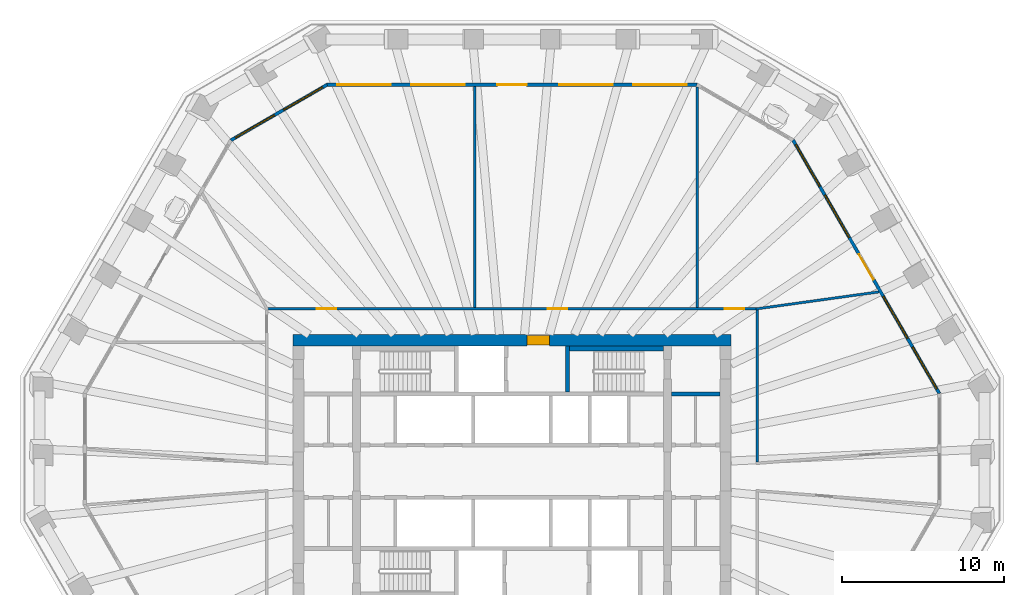
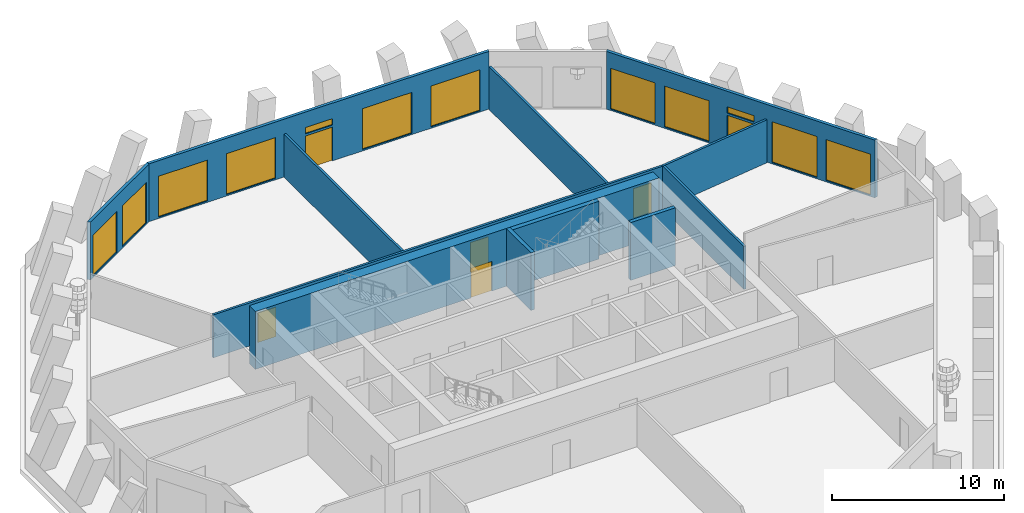
# One storey, part 7 of 11: 12 walls, 12 windows, 6 doors, 18 openings.
"""IFC4 building model written with IfcOpenShell, lengths in metres."""

import ifcopenshell
import ifcopenshell.guid

model = None  # the IFC model being written
_history = None  # IfcOwnerHistory: only IFC2X3 demands one
_inside = {}  # id of a spatial element -> (the spatial element, [elements in it])
_under = {}  # id of a project, library or spatial element -> (it, [spatial elements below it])
_declared = {}  # id of a project -> (the project, [libraries it declares])
_typed = {}  # id of a type object -> (the type object, [elements of that type])
_made_of = {}  # id of a material, layer set ... -> (it, [elements and type objects made of it])


def new_model(schema):
    """Start an empty IFC model of exactly this schema.

    Asked for "IFC4X3", IfcOpenShell would pick the latest addendum, in which some entities
    have other attributes; the version numbers below select the first issue.
    IFC2X3 requires an IfcOwnerHistory on every rooted entity: one is made here for all.
    """
    global model, _history
    if schema == "IFC4X3":
        model = ifcopenshell.file(schema_version=(4, 3, 0, 0))
    else:
        model = ifcopenshell.file(schema=schema)
    _inside.clear()
    _under.clear()
    _declared.clear()
    _typed.clear()
    _made_of.clear()
    _history = None
    if model.schema == "IFC2X3":
        org = make("IfcOrganization", Name="unknown")
        user = make(
            "IfcPersonAndOrganization",
            ThePerson=make("IfcPerson", FamilyName="unknown"),
            TheOrganization=org,
        )
        app = make(
            "IfcApplication",
            ApplicationDeveloper=org,
            Version="unknown",
            ApplicationFullName="unknown",
            ApplicationIdentifier="unknown",
        )
        _history = make(
            "IfcOwnerHistory",
            OwningUser=user,
            OwningApplication=app,
            ChangeAction="ADDED",
            CreationDate=0,
        )
    return model


def make(cls, **values):
    """One entity of the class cls with the attributes given. An attribute that is None is left unset."""
    return model.create_entity(
        cls, **{name: value for name, value in values.items() if value is not None}
    )


def rooted(cls, **values):
    """An entity with a GlobalId (a new one), such as an element, a storey or a relation."""
    return make(cls, GlobalId=ifcopenshell.guid.new(), OwnerHistory=_history, **values)


def si_unit(unit_type, name, prefix=None):
    """IfcSIUnit, for example si_unit("LENGTHUNIT", "METRE", prefix="MILLI")."""
    return make("IfcSIUnit", UnitType=unit_type, Prefix=prefix, Name=name)


def assignment(units):
    """IfcUnitAssignment: the units of a project."""
    return None if units is None else make("IfcUnitAssignment", Units=units)


def point(xyz):
    """IfcCartesianPoint."""
    return None if xyz is None else make("IfcCartesianPoint", Coordinates=xyz)


def direction(xyz):
    """IfcDirection."""
    return None if xyz is None else make("IfcDirection", DirectionRatios=xyz)


def frame(location, z_axis=None, x_axis=None):
    """IfcAxis2Placement3D, a coordinate frame: its origin and axes. An axis left out is left unset."""
    return make(
        "IfcAxis2Placement3D",
        Location=point(location),
        Axis=direction(z_axis),
        RefDirection=direction(x_axis),
    )


def frame_2d(location, x_axis=None):
    """IfcAxis2Placement2D, a coordinate frame in the plane: its origin and x axis."""
    return make(
        "IfcAxis2Placement2D", Location=point(location), RefDirection=direction(x_axis)
    )


def origin():
    """The frame at (0, 0, 0) with its axes left unset."""
    return frame((0.0, 0.0, 0.0))


def place(relative_to, where):
    """IfcLocalPlacement: puts the frame where relative to a parent placement (None: the world)."""
    return make(
        "IfcLocalPlacement", PlacementRelTo=relative_to, RelativePlacement=where
    )


def context(
    kind, dimensions, precision=None, world=None, true_north=None, identifier=None
):
    """IfcGeometricRepresentationContext, for example the 3D "Model" context."""
    return make(
        "IfcGeometricRepresentationContext",
        ContextIdentifier=identifier,
        ContextType=kind,
        CoordinateSpaceDimension=dimensions,
        Precision=precision,
        WorldCoordinateSystem=world,
        TrueNorth=true_north,
    )


def subcontext(parent, identifier, kind, view, scale=None):
    """IfcGeometricRepresentationSubContext, for example "Body" below "Model"."""
    return make(
        "IfcGeometricRepresentationSubContext",
        ContextIdentifier=identifier,
        ContextType=kind,
        ParentContext=parent,
        TargetScale=scale,
        TargetView=view,
    )


def project(units=None, contexts=None):
    """IfcProject with its units and contexts."""
    return rooted(
        "IfcProject",
        Name="project",
        RepresentationContexts=contexts,
        UnitsInContext=assignment(units),
    )


def spatial(cls, under=None, at=None, **own):
    """A site, building, storey or space (cls), placed at a placement, below another one or the project."""
    s = rooted(cls, ObjectPlacement=at, **own)
    if under is not None:
        _under.setdefault(under.id(), (under, []))[1].append(s)
    return s


def polyline(points):
    """IfcPolyline through the points."""
    return make("IfcPolyline", Points=[point(p) for p in points])


def profile(cls, at=None, kind="AREA", **sizes):
    """A parametric profile (cls). Its sizes go by their IFC names, for example OverallWidth=200.0."""
    return make(cls, ProfileType=kind, Position=at, **sizes)


def rectangle(**sizes):
    """IfcRectangleProfileDef."""
    return profile("IfcRectangleProfileDef", **sizes)


def outline(outer, holes=None, kind="AREA"):
    """IfcArbitraryClosedProfileDef: a profile drawn as a closed curve; with holes, ...WithVoids."""
    if holes is None:
        return make("IfcArbitraryClosedProfileDef", ProfileType=kind, OuterCurve=outer)
    return make(
        "IfcArbitraryProfileDefWithVoids",
        ProfileType=kind,
        OuterCurve=outer,
        InnerCurves=holes,
    )


def extrude(swept, where, along, depth):
    """IfcExtrudedAreaSolid: the profile swept, set in the frame where, extruded along a direction by depth."""
    return make(
        "IfcExtrudedAreaSolid",
        SweptArea=swept,
        Position=where,
        ExtrudedDirection=direction(along),
        Depth=depth,
    )


def shape(context_of_items, identifier, shape_type, items):
    """IfcShapeRepresentation: the items that make up one representation, for example the "Body"."""
    return make(
        "IfcShapeRepresentation",
        ContextOfItems=context_of_items,
        RepresentationIdentifier=identifier,
        RepresentationType=shape_type,
        Items=items,
    )


def material(Name=None, Category=None):
    """IfcMaterial."""
    return make("IfcMaterial", Name=Name, Category=Category)


def layer(
    of_material, thickness, ventilated=None, Name=None, Category=None, Priority=None
):
    """IfcMaterialLayer: one layer of a wall or slab, of a material (None: an air gap)."""
    return make(
        "IfcMaterialLayer",
        Material=of_material,
        LayerThickness=thickness,
        IsVentilated=ventilated,
        Name=Name,
        Category=Category,
        Priority=Priority,
    )


def layer_set(layers, Name=None):
    """IfcMaterialLayerSet."""
    return make("IfcMaterialLayerSet", MaterialLayers=layers, LayerSetName=Name)


def made_of(thing, what):
    """Note that an element or type object is made of a material, layer set ...; save() writes the relation."""
    if what is not None:
        _made_of.setdefault(what.id(), (what, []))[1].append(thing)
    return thing


def type_object(cls, material=None, **own):
    """A type object (cls), such as IfcWallType, which elements share."""
    return made_of(rooted(cls, **own), material)


def element(
    cls,
    number,
    at=None,
    inside=None,
    cuts=None,
    type_object=None,
    material=None,
    context=None,
    identifier="Body",
    shape_type=None,
    held_by="IfcProductDefinitionShape",
    body=None,
    shapes=None,
    **own,
):
    """One element of the class cls, such as IfcWall. Its Tag is "e" and its number.

    at: its placement. inside: the storey or other place that contains it. cuts: it is an
    opening in that element (IfcRelVoidsElement). A single representation is given by context,
    identifier, shape_type and body (its items); several are given by shapes. held_by: the class
    of the entity that holds the representations. save() writes the other relations.
    """
    e = rooted(cls, Tag="e%d" % number, ObjectPlacement=at, **own)
    if body is not None:
        shapes = [shape(context, identifier, shape_type, body)]
    if shapes is not None:
        e.Representation = make(held_by, Representations=shapes)
    if inside is not None:
        _inside.setdefault(inside.id(), (inside, []))[1].append(e)
    if cuts is not None:
        rooted(
            "IfcRelVoidsElement", RelatingBuildingElement=cuts, RelatedOpeningElement=e
        )
    if type_object is not None:
        _typed.setdefault(type_object.id(), (type_object, []))[1].append(e)
    return made_of(e, material)


def fill(opening, filler):
    """IfcRelFillsElement: the door or window that sits in an opening."""
    return rooted(
        "IfcRelFillsElement",
        RelatingOpeningElement=opening,
        RelatedBuildingElement=filler,
    )


def aggregate(whole, parts):
    """IfcRelAggregates: a whole, such as a stair, and the parts it consists of."""
    return rooted("IfcRelAggregates", RelatingObject=whole, RelatedObjects=parts)


def save(model, path):
    """Write the relations noted so far, then the file.

    IfcRelAggregates (storeys below a building ...), IfcRelContainedInSpatialStructure (elements
    in a storey), IfcRelDefinesByType, IfcRelAssociatesMaterial and IfcRelDeclares: one each for
    every whole, place, type object, material and project.
    """
    for whole, parts in _under.values():
        aggregate(whole, parts)
    for where, things in _inside.values():
        rooted(
            "IfcRelContainedInSpatialStructure",
            RelatedElements=things,
            RelatingStructure=where,
        )
    for kind, things in _typed.values():
        rooted("IfcRelDefinesByType", RelatedObjects=things, RelatingType=kind)
    for what, things in _made_of.values():
        rooted("IfcRelAssociatesMaterial", RelatedObjects=things, RelatingMaterial=what)
    for by, libraries in _declared.values():
        rooted("IfcRelDeclares", RelatingContext=by, RelatedDefinitions=libraries)
    model.write(path)


model = new_model("IFC4")

# Units and contexts
model_context = context("Model", 3, precision=1e-05, world=origin(), true_north=direction((0.0, 1.0)))
body_context = subcontext(model_context, "Body", "Model", "MODEL_VIEW")
ifc_project = project(units=[si_unit("LENGTHUNIT", "METRE"), si_unit("AREAUNIT", "SQUARE_METRE"), si_unit("VOLUMEUNIT", "CUBIC_METRE"), si_unit("PLANEANGLEUNIT", "RADIAN"), si_unit("MASSUNIT", "GRAM", prefix="KILO")], contexts=[model_context])

# Site, building, storey
site_placement = place(None, origin())
site = spatial("IfcSite", under=ifc_project, at=site_placement, CompositionType="ELEMENT")
building_placement = place(site_placement, origin())
building = spatial("IfcBuilding", under=site, at=building_placement, Name="Frailejon Research Tower", CompositionType="ELEMENT")
storey_placement = place(building_placement, frame((0.0, 0.0, 198.0)))
storey = spatial("IfcBuildingStorey", under=building, at=storey_placement, Name="L43", CompositionType="ELEMENT", Elevation=198.0)

# Wall, opening, door
ifc_material_1 = material(Name="Concrete C60/75", Category="concrete")
ifc_layer_1 = layer(ifc_material_1, 0.699951171875)
ifc_layer_set_1 = layer_set([ifc_layer_1], Name="Core shear wall 700 C60/75")
wall_type_1 = type_object("IfcWallType", Name="Core shear wall 700 C60/75", PredefinedType="SHEAR", material=ifc_layer_set_1)
wall_1_placement = place(storey_placement, frame((-13.550048828125, 8.10009765625, 0.0), z_axis=(0.0, 0.0, 1.0), x_axis=(1.0, 0.0, 0.0)))
wall_1 = element("IfcWall", 1, at=wall_1_placement, inside=storey, type_object=wall_type_1, Name="Core shear wall", PredefinedType="SHEAR", context=body_context, shape_type="SweptSolid", body=[
    extrude(rectangle(XDim=27.10009765625, YDim=0.699951171875, at=frame_2d((13.550048828125, 0.0))), origin(), (0.0, 0.0, 1.0), 4.10009765625),
])
opening_1_placement = place(wall_1_placement, frame((14.47509765625, 0.0, 0.0)))
opening_1 = element("IfcOpeningElement", 2, at=opening_1_placement, cuts=wall_1, Name="Opening D9", PredefinedType="OPENING", context=body_context, shape_type="SweptSolid", body=[
    extrude(rectangle(XDim=1.39990234375, YDim=2.10009765625, at=frame_2d((0.699951171875, 1.050048828125))), frame((0.0, 0.35986328125, 0.0), z_axis=(0.0, -1.0, 0.0), x_axis=(1.0, 0.0, 0.0)), (0.0, 0.0, 1.0), 0.719970703125),
])
ifc_material_2 = material(Name="Steel", Category="steel")
door_type_1 = type_object("IfcDoorType", Name="Goods lobby door", OperationType="DOUBLE_DOOR_SINGLE_SWING", PredefinedType="DOOR", material=ifc_material_2)
door_1_placement = place(opening_1_placement, origin())
door_1 = element("IfcDoor", 3, at=door_1_placement, inside=storey, type_object=door_type_1, Name="Goods lobby door", OperationType="DOUBLE_DOOR_SINGLE_SWING", OverallHeight=2.10009765625, OverallWidth=1.39990234375, PredefinedType="DOOR", context=body_context, shape_type="SweptSolid", body=[
    extrude(rectangle(XDim=1.39990234375, YDim=2.10009765625, at=frame_2d((0.699951171875, 1.050048828125))), frame((0.0, 0.300048828125, 0.0), z_axis=(0.0, -1.0, 0.0), x_axis=(1.0, 0.0, 0.0)), (0.0, 0.0, 1.0), 0.60009765625),
])
fill(opening_1, door_1)

# Wall
ifc_material_3 = material(Name="Gypsum board and masonry partition", Category="masonry")
ifc_layer_2 = layer(ifc_material_3, 0.14990234375)
ifc_layer_set_2 = layer_set([ifc_layer_2], Name="Corridor wall EI 60, gypsum on steel studs 150")
wall_type_2 = type_object("IfcWallType", Name="Corridor wall EI 60, gypsum on steel studs 150", PredefinedType="PARTITIONING", material=ifc_layer_set_2)
wall_2_placement = place(storey_placement, frame((15.14990234375, 0.57568359375, 0.0), z_axis=(0.0, 0.0, 1.0), x_axis=(0.0, 1.0, 0.0)))
element("IfcWall", 4, at=wall_2_placement, inside=storey, type_object=wall_type_2, Name="T:IW:L43:002", PredefinedType="PARTITIONING", context=body_context, shape_type="SweptSolid", body=[
    extrude(rectangle(XDim=9.3994140625, YDim=0.14990234375, at=frame_2d((4.69970703125, 0.0))), origin(), (0.0, 0.0, 1.0), 3.050048828125),
])

# Wall, openings, doors
wall_3_placement = place(storey_placement, frame((-15.074951171875, 10.050048828125, 0.0), z_axis=(0.0, 0.0, 1.0), x_axis=(1.0, 0.0, 0.0)))
wall_3 = element("IfcWall", 5, at=wall_3_placement, inside=storey, type_object=wall_type_2, Name="T:IW:L43:003", PredefinedType="PARTITIONING", context=body_context, shape_type="SweptSolid", body=[
    extrude(rectangle(XDim=30.14990234375, YDim=0.14990234375, at=frame_2d((15.074951171875, 0.0))), origin(), (0.0, 0.0, 1.0), 3.050048828125),
])
opening_2_placement = place(wall_3_placement, frame((28.225830078125, 0.0, 0.0)))
opening_2 = element("IfcOpeningElement", 6, at=opening_2_placement, cuts=wall_3, Name="Opening D1924", PredefinedType="OPENING", context=body_context, shape_type="SweptSolid", body=[
    extrude(rectangle(XDim=1.199951171875, YDim=2.10009765625, at=frame_2d((0.60009765625, 1.050048828125))), frame((0.0, 0.0849609375, 0.0), z_axis=(0.0, -1.0, 0.0), x_axis=(1.0, 0.0, 0.0)), (0.0, 0.0, 1.0), 0.169921875),
])
opening_3_placement = place(wall_3_placement, frame((17.27978515625, 0.0, 0.0)))
opening_3 = element("IfcOpeningElement", 7, at=opening_3_placement, cuts=wall_3, Name="Opening D1925", PredefinedType="OPENING", context=body_context, shape_type="SweptSolid", body=[
    extrude(rectangle(XDim=1.199951171875, YDim=2.10009765625, at=frame_2d((0.60009765625, 1.050048828125))), frame((0.0, 0.0849609375, 0.0), z_axis=(0.0, -1.0, 0.0), x_axis=(1.0, 0.0, 0.0)), (0.0, 0.0, 1.0), 0.169921875),
])
opening_4_placement = place(wall_3_placement, frame((3.014892578125, 0.0, 0.0)))
opening_4 = element("IfcOpeningElement", 8, at=opening_4_placement, cuts=wall_3, Name="Opening D1926", PredefinedType="OPENING", context=body_context, shape_type="SweptSolid", body=[
    extrude(rectangle(XDim=1.199951171875, YDim=2.10009765625, at=frame_2d((0.60009765625, 1.050048828125))), frame((0.0, 0.0849609375, 0.0), z_axis=(0.0, -1.0, 0.0), x_axis=(1.0, 0.0, 0.0)), (0.0, 0.0, 1.0), 0.169921875),
])
ifc_material_4 = material(Name="Timber door leaf", Category="wood")
door_type_2 = type_object("IfcDoorType", Name="Door laboratory, timber, vision panel 1200", OperationType="NOTDEFINED", PredefinedType="DOOR", material=ifc_material_4)
door_2_placement = place(opening_2_placement, origin())
door_2 = element("IfcDoor", 9, at=door_2_placement, inside=storey, type_object=door_type_2, Name="D1924", OperationType="DOUBLE_DOOR_SINGLE_SWING", OverallHeight=2.10009765625, OverallWidth=1.199951171875, PredefinedType="DOOR", context=body_context, shape_type="SweptSolid", body=[
    extrude(rectangle(XDim=1.199951171875, YDim=2.10009765625, at=frame_2d((0.60009765625, 1.050048828125))), frame((0.0, 0.02490234375, 0.0), z_axis=(0.0, -1.0, 0.0), x_axis=(1.0, 0.0, 0.0)), (0.0, 0.0, 1.0), 0.050048828125),
])
fill(opening_2, door_2)
door_3_placement = place(opening_3_placement, origin())
door_3 = element("IfcDoor", 10, at=door_3_placement, inside=storey, type_object=door_type_2, Name="D1925", OperationType="DOUBLE_DOOR_SINGLE_SWING", OverallHeight=2.10009765625, OverallWidth=1.199951171875, PredefinedType="DOOR", context=body_context, shape_type="SweptSolid", body=[
    extrude(rectangle(XDim=1.199951171875, YDim=2.10009765625, at=frame_2d((0.60009765625, 1.050048828125))), frame((0.0, 0.02490234375, 0.0), z_axis=(0.0, -1.0, 0.0), x_axis=(1.0, 0.0, 0.0)), (0.0, 0.0, 1.0), 0.050048828125),
])
fill(opening_3, door_3)
door_4_placement = place(opening_4_placement, origin())
door_4 = element("IfcDoor", 11, at=door_4_placement, inside=storey, type_object=door_type_2, Name="D1926", OperationType="DOUBLE_DOOR_SINGLE_SWING", OverallHeight=2.10009765625, OverallWidth=1.199951171875, PredefinedType="DOOR", context=body_context, shape_type="SweptSolid", body=[
    extrude(rectangle(XDim=1.199951171875, YDim=2.10009765625, at=frame_2d((0.60009765625, 1.050048828125))), frame((0.0, 0.02490234375, 0.0), z_axis=(0.0, -1.0, 0.0), x_axis=(1.0, 0.0, 0.0)), (0.0, 0.0, 1.0), 0.050048828125),
])
fill(opening_4, door_4)

# Walls
ifc_material_5 = material(Name="Gypsum board and masonry partition", Category="masonry")
ifc_layer_3 = layer(ifc_material_5, 0.14990234375)
ifc_layer_set_3 = layer_set([ifc_layer_3], Name="Laboratory partition, blockwork 150")
wall_type_3 = type_object("IfcWallType", Name="Laboratory partition, blockwork 150", PredefinedType="PARTITIONING", material=ifc_layer_set_3)
wall_4_placement = place(storey_placement, frame((15.07568359375, 10.039794921875, 0.0), z_axis=(0.0, 0.0, 1.0), x_axis=(0.990534028254, 0.137267399154, 0.0)))
element("IfcWall", 12, at=wall_4_placement, inside=storey, type_object=wall_type_3, Name="T:IW:L43:011", PredefinedType="PARTITIONING", context=body_context, shape_type="SweptSolid", body=[
    extrude(rectangle(XDim=7.6708984375, YDim=0.14990234375, at=frame_2d((3.83544921875, 0.0))), origin(), (0.0, 0.0, 1.0), 3.050048828125),
])
wall_5_placement = place(storey_placement, frame((11.453125, 10.125, 0.0), z_axis=(0.0, 0.0, 1.0), x_axis=(0.0, 1.0, 0.0)))
element("IfcWall", 13, at=wall_5_placement, inside=storey, type_object=wall_type_3, Name="T:IW:L43:012", PredefinedType="PARTITIONING", context=body_context, shape_type="SweptSolid", body=[
    extrude(rectangle(XDim=13.64404296875, YDim=0.14990234375, at=frame_2d((6.822021484375, 0.0))), origin(), (0.0, 0.0, 1.0), 3.050048828125),
])
wall_6_placement = place(storey_placement, frame((-2.29052734375, 10.125, 0.0), z_axis=(0.0, 0.0, 1.0), x_axis=(0.0, 1.0, 0.0)))
element("IfcWall", 14, at=wall_6_placement, inside=storey, type_object=wall_type_3, Name="T:IW:L43:013", PredefinedType="PARTITIONING", context=body_context, shape_type="SweptSolid", body=[
    extrude(rectangle(XDim=13.675048828125, YDim=0.14990234375, at=frame_2d((6.83740234375, 0.0))), origin(), (0.0, 0.0, 1.0), 3.050048828125),
])
ifc_material_6 = material(Name="Concrete C60/75", Category="concrete")
ifc_layer_4 = layer(ifc_material_6, 0.25)
ifc_layer_set_4 = layer_set([ifc_layer_4], Name="Shaft wall 250 C60/75")
wall_type_4 = type_object("IfcWallType", Name="Shaft wall 250 C60/75", PredefinedType="SOLIDWALL", material=ifc_layer_set_4)
wall_7_placement = place(storey_placement, frame((9.85009765625, 4.77490234375, 0.0), z_axis=(0.0, 0.0, 1.0), x_axis=(1.0, 0.0, 0.0)))
element("IfcWall", 15, at=wall_7_placement, inside=storey, type_object=wall_type_4, Name="Shaft wall", PredefinedType="SOLIDWALL", context=body_context, shape_type="SweptSolid", body=[
    extrude(rectangle(XDim=3.0, YDim=0.25, at=frame_2d((1.5, 0.0))), origin(), (0.0, 0.0, 1.0), 4.10009765625),
])
wall_8_placement = place(storey_placement, frame((3.425048828125, 4.89990234375, 0.0), z_axis=(0.0, 0.0, 1.0), x_axis=(0.0, 1.0, 0.0)))
element("IfcWall", 16, at=wall_8_placement, inside=storey, type_object=wall_type_4, Name="Shaft wall", PredefinedType="SOLIDWALL", context=body_context, shape_type="SweptSolid", body=[
    extrude(rectangle(XDim=2.85009765625, YDim=0.25, at=frame_2d((1.425048828125, 0.0))), origin(), (0.0, 0.0, 1.0), 4.10009765625),
])
ifc_material_7 = material(Name="Concrete C60/75", Category="concrete")
ifc_layer_5 = layer(ifc_material_7, 0.300048828125)
ifc_layer_set_5 = layer_set([ifc_layer_5], Name="Shaft wall 300 C60/75")
wall_type_5 = type_object("IfcWallType", Name="Shaft wall 300 C60/75", PredefinedType="SOLIDWALL", material=ifc_layer_set_5)
wall_9_placement = place(storey_placement, frame((3.550048828125, 7.60009765625, 0.0), z_axis=(0.0, 0.0, 1.0), x_axis=(1.0, 0.0, 0.0)))
element("IfcWall", 17, at=wall_9_placement, inside=storey, type_object=wall_type_5, Name="Shaft wall", PredefinedType="SOLIDWALL", context=body_context, shape_type="SweptSolid", body=[
    extrude(rectangle(XDim=5.800048828125, YDim=0.300048828125, at=frame_2d((2.89990234375, 0.0))), origin(), (0.0, 0.0, 1.0), 4.10009765625),
])

# Wall, openings, door, windows
ifc_material_8 = material(Name="Concrete C40/50 precast window wall panel", Category="concrete")
ifc_layer_6 = layer(ifc_material_8, 0.199951171875)
ifc_layer_set_6 = layer_set([ifc_layer_6], Name="Window wall 200")
wall_type_6 = type_object("IfcWallType", Name="Window wall 200", PredefinedType="SOLIDWALL", material=ifc_layer_set_6)
wall_10_placement = place(storey_placement, frame((26.4111328125, 4.820068359375, 0.0), z_axis=(0.0, 0.0, 1.0), x_axis=(-0.500000137386, 0.866025324465, 0.0)))
wall_10 = element("IfcWall", 18, at=wall_10_placement, inside=storey, type_object=wall_type_6, Name="Exterior wall L43", PredefinedType="SOLIDWALL", context=body_context, shape_type="SweptSolid", body=[
    extrude(outline(polyline([(-0.02685546875, -0.10009765625), (0.9794921875, -0.10009765625), (1.986083984375, -0.10009765625), (2.992431640625, -0.10009765625), (3.9990234375, -0.10009765625), (5.00537109375, -0.10009765625), (6.011962890625, -0.10009765625), (7.018310546875, -0.10009765625), (8.02490234375, -0.10009765625), (9.03125, -0.10009765625), (10.03759765625, -0.10009765625), (11.044189453125, -0.10009765625), (12.050537109375, -0.10009765625), (13.05712890625, -0.10009765625), (14.0634765625, -0.10009765625), (15.070068359375, -0.10009765625), (16.076416015625, -0.10009765625), (17.0830078125, -0.10009765625), (18.08935546875, -0.10009765625), (18.03564453125, 0.10009765625), (17.03515625, 0.10009765625), (16.03466796875, 0.10009765625), (15.0341796875, 0.10009765625), (14.03369140625, 0.10009765625), (13.033203125, 0.10009765625), (12.03271484375, 0.10009765625), (11.0322265625, 0.10009765625), (10.03173828125, 0.10009765625), (9.03125, 0.10009765625), (8.03076171875, 0.10009765625), (7.0302734375, 0.10009765625), (6.02978515625, 0.10009765625), (5.029296875, 0.10009765625), (4.02880859375, 0.10009765625), (3.0283203125, 0.10009765625), (2.02783203125, 0.10009765625), (1.02734375, 0.10009765625), (0.02685546875, 0.10009765625), (-0.02685546875, -0.10009765625)])), origin(), (0.0, 0.0, 1.0), 4.10009765625),
])
opening_5_placement = place(wall_10_placement, frame((0.306396484375, 0.0, 0.10009765625)))
opening_5 = element("IfcOpeningElement", 19, at=opening_5_placement, cuts=wall_10, Name="Opening W4", PredefinedType="OPENING", context=body_context, shape_type="SweptSolid", body=[
    extrude(rectangle(XDim=3.0, YDim=2.89990234375, at=frame_2d((1.5, 1.449951171875))), frame((0.0, 0.10986328125, 0.0), z_axis=(0.0, -1.0, 0.0), x_axis=(1.0, 0.0, 0.0)), (0.0, 0.0, 1.0), 0.219970703125),
])
opening_6_placement = place(wall_10_placement, frame((3.918701171875, 0.0, 0.10009765625)))
opening_6 = element("IfcOpeningElement", 20, at=opening_6_placement, cuts=wall_10, Name="Opening W4", PredefinedType="OPENING", context=body_context, shape_type="SweptSolid", body=[
    extrude(rectangle(XDim=3.0, YDim=2.89990234375, at=frame_2d((1.5, 1.449951171875))), frame((0.0, 0.10986328125, 0.0), z_axis=(0.0, -1.0, 0.0), x_axis=(1.0, 0.0, 0.0)), (0.0, 0.0, 1.0), 0.219970703125),
])
opening_7_placement = place(wall_10_placement, frame((8.13134765625, 0.0, 0.0)))
opening_7 = element("IfcOpeningElement", 21, at=opening_7_placement, cuts=wall_10, Name="Opening LG43-1", PredefinedType="OPENING", context=body_context, shape_type="SweptSolid", body=[
    extrude(rectangle(XDim=1.800048828125, YDim=2.39990234375, at=frame_2d((0.89990234375, 1.199951171875))), frame((0.0, 0.10986328125, 0.0), z_axis=(0.0, -1.0, 0.0), x_axis=(1.0, 0.0, 0.0)), (0.0, 0.0, 1.0), 0.219970703125),
])
opening_8_placement = place(wall_10_placement, frame((8.13134765625, 0.0, 2.550048828125)))
opening_8 = element("IfcOpeningElement", 22, at=opening_8_placement, cuts=wall_10, Name="Opening W1", PredefinedType="OPENING", context=body_context, shape_type="SweptSolid", body=[
    extrude(rectangle(XDim=1.800048828125, YDim=0.449951171875, at=frame_2d((0.89990234375, 0.22509765625))), frame((0.0, 0.10986328125, 0.0), z_axis=(0.0, -1.0, 0.0), x_axis=(1.0, 0.0, 0.0)), (0.0, 0.0, 1.0), 0.219970703125),
])
opening_9_placement = place(wall_10_placement, frame((11.143798828125, 0.0, 0.10009765625)))
opening_9 = element("IfcOpeningElement", 23, at=opening_9_placement, cuts=wall_10, Name="Opening W4", PredefinedType="OPENING", context=body_context, shape_type="SweptSolid", body=[
    extrude(rectangle(XDim=3.0, YDim=2.89990234375, at=frame_2d((1.5, 1.449951171875))), frame((0.0, 0.10986328125, 0.0), z_axis=(0.0, -1.0, 0.0), x_axis=(1.0, 0.0, 0.0)), (0.0, 0.0, 1.0), 0.219970703125),
])
opening_10_placement = place(wall_10_placement, frame((14.75634765625, 0.0, 0.10009765625)))
opening_10 = element("IfcOpeningElement", 24, at=opening_10_placement, cuts=wall_10, Name="Opening W4", PredefinedType="OPENING", context=body_context, shape_type="SweptSolid", body=[
    extrude(rectangle(XDim=3.0, YDim=2.89990234375, at=frame_2d((1.5, 1.449951171875))), frame((0.0, 0.10986328125, 0.0), z_axis=(0.0, -1.0, 0.0), x_axis=(1.0, 0.0, 0.0)), (0.0, 0.0, 1.0), 0.219970703125),
])
ifc_material_9 = material(Name="Aluminium framed glazed door leaf", Category="aluminium")
door_type_3 = type_object("IfcDoorType", Name="Loggia door 1800x2400", OperationType="DOUBLE_DOOR_SINGLE_SWING", PredefinedType="DOOR", material=ifc_material_9)
door_5_placement = place(opening_7_placement, origin())
door_5 = element("IfcDoor", 25, at=door_5_placement, inside=storey, type_object=door_type_3, Name="Door LG43-1", OperationType="DOUBLE_DOOR_SINGLE_SWING", OverallHeight=2.39990234375, OverallWidth=1.800048828125, PredefinedType="DOOR", context=body_context, shape_type="SweptSolid", body=[
    extrude(rectangle(XDim=1.800048828125, YDim=2.39990234375, at=frame_2d((0.89990234375, 1.199951171875))), frame((0.0, 0.02490234375, 0.0), z_axis=(0.0, -1.0, 0.0), x_axis=(1.0, 0.0, 0.0)), (0.0, 0.0, 1.0), 0.050048828125),
])
fill(opening_7, door_5)
ifc_material_10 = material(Name="Aluminium framed double glazing", Category="aluminium")
window_type_1 = type_object("IfcWindowType", Name="Window 1800x450", PartitioningType="SINGLE_PANEL", PredefinedType="WINDOW", material=ifc_material_10)
window_1_placement = place(opening_8_placement, origin())
window_1 = element("IfcWindow", 26, at=window_1_placement, inside=storey, type_object=window_type_1, Name="Window L43", OverallHeight=0.449951171875, OverallWidth=1.800048828125, PartitioningType="SINGLE_PANEL", PredefinedType="WINDOW", context=body_context, shape_type="SweptSolid", body=[
    extrude(rectangle(XDim=1.800048828125, YDim=0.449951171875, at=frame_2d((0.89990234375, 0.22509765625))), frame((0.0, 0.030029296875, 0.0), z_axis=(0.0, -1.0, 0.0), x_axis=(1.0, 0.0, 0.0)), (0.0, 0.0, 1.0), 0.06005859375),
])
fill(opening_8, window_1)
ifc_material_11 = material(Name="Aluminium framed double glazing", Category="aluminium")
window_type_2 = type_object("IfcWindowType", Name="Window 3000x2900", PartitioningType="SINGLE_PANEL", PredefinedType="WINDOW", material=ifc_material_11)
window_2_placement = place(opening_5_placement, origin())
window_2 = element("IfcWindow", 27, at=window_2_placement, inside=storey, type_object=window_type_2, Name="Window L43", OverallHeight=2.89990234375, OverallWidth=3.0, PartitioningType="SINGLE_PANEL", PredefinedType="WINDOW", context=body_context, shape_type="SweptSolid", body=[
    extrude(rectangle(XDim=3.0, YDim=2.89990234375, at=frame_2d((1.5, 1.449951171875))), frame((0.0, 0.030029296875, 0.0), z_axis=(0.0, -1.0, 0.0), x_axis=(1.0, 0.0, 0.0)), (0.0, 0.0, 1.0), 0.06005859375),
])
fill(opening_5, window_2)
window_3_placement = place(opening_6_placement, origin())
window_3 = element("IfcWindow", 28, at=window_3_placement, inside=storey, type_object=window_type_2, Name="Window L43", OverallHeight=2.89990234375, OverallWidth=3.0, PartitioningType="SINGLE_PANEL", PredefinedType="WINDOW", context=body_context, shape_type="SweptSolid", body=[
    extrude(rectangle(XDim=3.0, YDim=2.89990234375, at=frame_2d((1.5, 1.449951171875))), frame((0.0, 0.030029296875, 0.0), z_axis=(0.0, -1.0, 0.0), x_axis=(1.0, 0.0, 0.0)), (0.0, 0.0, 1.0), 0.06005859375),
])
fill(opening_6, window_3)
window_4_placement = place(opening_9_placement, origin())
window_4 = element("IfcWindow", 29, at=window_4_placement, inside=storey, type_object=window_type_2, Name="Window L43", OverallHeight=2.89990234375, OverallWidth=3.0, PartitioningType="SINGLE_PANEL", PredefinedType="WINDOW", context=body_context, shape_type="SweptSolid", body=[
    extrude(rectangle(XDim=3.0, YDim=2.89990234375, at=frame_2d((1.5, 1.449951171875))), frame((0.0, 0.030029296875, 0.0), z_axis=(0.0, -1.0, 0.0), x_axis=(1.0, 0.0, 0.0)), (0.0, 0.0, 1.0), 0.06005859375),
])
fill(opening_9, window_4)
window_5_placement = place(opening_10_placement, origin())
window_5 = element("IfcWindow", 30, at=window_5_placement, inside=storey, type_object=window_type_2, Name="Window L43", OverallHeight=2.89990234375, OverallWidth=3.0, PartitioningType="SINGLE_PANEL", PredefinedType="WINDOW", context=body_context, shape_type="SweptSolid", body=[
    extrude(rectangle(XDim=3.0, YDim=2.89990234375, at=frame_2d((1.5, 1.449951171875))), frame((0.0, 0.030029296875, 0.0), z_axis=(0.0, -1.0, 0.0), x_axis=(1.0, 0.0, 0.0)), (0.0, 0.0, 1.0), 0.06005859375),
])
fill(opening_10, window_5)

wall_11_placement = place(storey_placement, frame((11.42626953125, 23.89990234375, 0.0), z_axis=(0.0, 0.0, 1.0), x_axis=(-1.0, 0.0, 0.0)))
wall_11 = element("IfcWall", 31, at=wall_11_placement, inside=storey, type_object=wall_type_6, Name="Exterior wall L43", PredefinedType="SOLIDWALL", context=body_context, shape_type="SweptSolid", body=[
    extrude(outline(polyline([(-0.02685546875, -0.10009765625), (1.014404296875, -0.10009765625), (2.055419921875, -0.10009765625), (3.0966796875, -0.10009765625), (4.137939453125, -0.10009765625), (5.17919921875, -0.10009765625), (6.22021484375, -0.10009765625), (7.261474609375, -0.10009765625), (8.302734375, -0.10009765625), (9.343994140625, -0.10009765625), (10.385009765625, -0.10009765625), (11.42626953125, -0.10009765625), (12.467529296875, -0.10009765625), (13.508544921875, -0.10009765625), (14.5498046875, -0.10009765625), (15.591064453125, -0.10009765625), (16.63232421875, -0.10009765625), (17.67333984375, -0.10009765625), (18.714599609375, -0.10009765625), (19.755859375, -0.10009765625), (20.797119140625, -0.10009765625), (21.838134765625, -0.10009765625), (22.87939453125, -0.10009765625), (22.82568359375, 0.10009765625), (21.789306640625, 0.10009765625), (20.753173828125, 0.10009765625), (19.716796875, 0.10009765625), (18.680419921875, 0.10009765625), (17.64404296875, 0.10009765625), (16.60791015625, 0.10009765625), (15.571533203125, 0.10009765625), (14.53515625, 0.10009765625), (13.498779296875, 0.10009765625), (12.462646484375, 0.10009765625), (11.42626953125, 0.10009765625), (10.389892578125, 0.10009765625), (9.353759765625, 0.10009765625), (8.3173828125, 0.10009765625), (7.281005859375, 0.10009765625), (6.24462890625, 0.10009765625), (5.20849609375, 0.10009765625), (4.172119140625, 0.10009765625), (3.1357421875, 0.10009765625), (2.099365234375, 0.10009765625), (1.063232421875, 0.10009765625), (0.02685546875, 0.10009765625), (-0.02685546875, -0.10009765625)])), origin(), (0.0, 0.0, 1.0), 4.10009765625),
])
opening_11_placement = place(wall_11_placement, frame((0.63525390625, 0.0, 0.10009765625)))
opening_11 = element("IfcOpeningElement", 32, at=opening_11_placement, cuts=wall_11, Name="Opening W5", PredefinedType="OPENING", context=body_context, shape_type="SweptSolid", body=[
    extrude(rectangle(XDim=3.300048828125, YDim=2.89990234375, at=frame_2d((1.64990234375, 1.449951171875))), frame((0.0, 0.10986328125, 0.0), z_axis=(0.0, -1.0, 0.0), x_axis=(1.0, 0.0, 0.0)), (0.0, 0.0, 1.0), 0.219970703125),
])
opening_12_placement = place(wall_11_placement, frame((5.205810546875, 0.0, 0.10009765625)))
opening_12 = element("IfcOpeningElement", 33, at=opening_12_placement, cuts=wall_11, Name="Opening W5", PredefinedType="OPENING", context=body_context, shape_type="SweptSolid", body=[
    extrude(rectangle(XDim=3.300048828125, YDim=2.89990234375, at=frame_2d((1.64990234375, 1.449951171875))), frame((0.0, 0.10986328125, 0.0), z_axis=(0.0, -1.0, 0.0), x_axis=(1.0, 0.0, 0.0)), (0.0, 0.0, 1.0), 0.219970703125),
])
opening_13_placement = place(wall_11_placement, frame((10.5263671875, 0.0, 0.0)))
opening_13 = element("IfcOpeningElement", 34, at=opening_13_placement, cuts=wall_11, Name="Opening LG43-2", PredefinedType="OPENING", context=body_context, shape_type="SweptSolid", body=[
    extrude(rectangle(XDim=1.800048828125, YDim=2.39990234375, at=frame_2d((0.89990234375, 1.199951171875))), frame((0.0, 0.10986328125, 0.0), z_axis=(0.0, -1.0, 0.0), x_axis=(1.0, 0.0, 0.0)), (0.0, 0.0, 1.0), 0.219970703125),
])
opening_14_placement = place(wall_11_placement, frame((10.5263671875, 0.0, 2.550048828125)))
opening_14 = element("IfcOpeningElement", 35, at=opening_14_placement, cuts=wall_11, Name="Opening W1", PredefinedType="OPENING", context=body_context, shape_type="SweptSolid", body=[
    extrude(rectangle(XDim=1.800048828125, YDim=0.449951171875, at=frame_2d((0.89990234375, 0.22509765625))), frame((0.0, 0.10986328125, 0.0), z_axis=(0.0, -1.0, 0.0), x_axis=(1.0, 0.0, 0.0)), (0.0, 0.0, 1.0), 0.219970703125),
])
opening_15_placement = place(wall_11_placement, frame((14.3466796875, 0.0, 0.10009765625)))
opening_15 = element("IfcOpeningElement", 36, at=opening_15_placement, cuts=wall_11, Name="Opening W5", PredefinedType="OPENING", context=body_context, shape_type="SweptSolid", body=[
    extrude(rectangle(XDim=3.300048828125, YDim=2.89990234375, at=frame_2d((1.64990234375, 1.449951171875))), frame((0.0, 0.10986328125, 0.0), z_axis=(0.0, -1.0, 0.0), x_axis=(1.0, 0.0, 0.0)), (0.0, 0.0, 1.0), 0.219970703125),
])
opening_16_placement = place(wall_11_placement, frame((18.917236328125, 0.0, 0.10009765625)))
opening_16 = element("IfcOpeningElement", 37, at=opening_16_placement, cuts=wall_11, Name="Opening W5", PredefinedType="OPENING", context=body_context, shape_type="SweptSolid", body=[
    extrude(rectangle(XDim=3.300048828125, YDim=2.89990234375, at=frame_2d((1.64990234375, 1.449951171875))), frame((0.0, 0.10986328125, 0.0), z_axis=(0.0, -1.0, 0.0), x_axis=(1.0, 0.0, 0.0)), (0.0, 0.0, 1.0), 0.219970703125),
])
door_6_placement = place(opening_13_placement, origin())
door_6 = element("IfcDoor", 38, at=door_6_placement, inside=storey, type_object=door_type_3, Name="Door LG43-2", OperationType="DOUBLE_DOOR_SINGLE_SWING", OverallHeight=2.39990234375, OverallWidth=1.800048828125, PredefinedType="DOOR", context=body_context, shape_type="SweptSolid", body=[
    extrude(rectangle(XDim=1.800048828125, YDim=2.39990234375, at=frame_2d((0.89990234375, 1.199951171875))), frame((0.0, 0.02490234375, 0.0), z_axis=(0.0, -1.0, 0.0), x_axis=(1.0, 0.0, 0.0)), (0.0, 0.0, 1.0), 0.050048828125),
])
fill(opening_13, door_6)
window_6_placement = place(opening_14_placement, origin())
window_6 = element("IfcWindow", 39, at=window_6_placement, inside=storey, type_object=window_type_1, Name="Window L43", OverallHeight=0.449951171875, OverallWidth=1.800048828125, PartitioningType="SINGLE_PANEL", PredefinedType="WINDOW", context=body_context, shape_type="SweptSolid", body=[
    extrude(rectangle(XDim=1.800048828125, YDim=0.449951171875, at=frame_2d((0.89990234375, 0.22509765625))), frame((0.0, 0.030029296875, 0.0), z_axis=(0.0, -1.0, 0.0), x_axis=(1.0, 0.0, 0.0)), (0.0, 0.0, 1.0), 0.06005859375),
])
fill(opening_14, window_6)
ifc_material_12 = material(Name="Aluminium framed double glazing", Category="aluminium")
window_type_3 = type_object("IfcWindowType", Name="Window 3300x2900", PartitioningType="SINGLE_PANEL", PredefinedType="WINDOW", material=ifc_material_12)
window_7_placement = place(opening_11_placement, origin())
window_7 = element("IfcWindow", 40, at=window_7_placement, inside=storey, type_object=window_type_3, Name="Window L43", OverallHeight=2.89990234375, OverallWidth=3.300048828125, PartitioningType="SINGLE_PANEL", PredefinedType="WINDOW", context=body_context, shape_type="SweptSolid", body=[
    extrude(rectangle(XDim=3.300048828125, YDim=2.89990234375, at=frame_2d((1.64990234375, 1.449951171875))), frame((0.0, 0.030029296875, 0.0), z_axis=(0.0, -1.0, 0.0), x_axis=(1.0, 0.0, 0.0)), (0.0, 0.0, 1.0), 0.06005859375),
])
fill(opening_11, window_7)
window_8_placement = place(opening_12_placement, origin())
window_8 = element("IfcWindow", 41, at=window_8_placement, inside=storey, type_object=window_type_3, Name="Window L43", OverallHeight=2.89990234375, OverallWidth=3.300048828125, PartitioningType="SINGLE_PANEL", PredefinedType="WINDOW", context=body_context, shape_type="SweptSolid", body=[
    extrude(rectangle(XDim=3.300048828125, YDim=2.89990234375, at=frame_2d((1.64990234375, 1.449951171875))), frame((0.0, 0.030029296875, 0.0), z_axis=(0.0, -1.0, 0.0), x_axis=(1.0, 0.0, 0.0)), (0.0, 0.0, 1.0), 0.06005859375),
])
fill(opening_12, window_8)
window_9_placement = place(opening_15_placement, origin())
window_9 = element("IfcWindow", 42, at=window_9_placement, inside=storey, type_object=window_type_3, Name="Window L43", OverallHeight=2.89990234375, OverallWidth=3.300048828125, PartitioningType="SINGLE_PANEL", PredefinedType="WINDOW", context=body_context, shape_type="SweptSolid", body=[
    extrude(rectangle(XDim=3.300048828125, YDim=2.89990234375, at=frame_2d((1.64990234375, 1.449951171875))), frame((0.0, 0.030029296875, 0.0), z_axis=(0.0, -1.0, 0.0), x_axis=(1.0, 0.0, 0.0)), (0.0, 0.0, 1.0), 0.06005859375),
])
fill(opening_15, window_9)
window_10_placement = place(opening_16_placement, origin())
window_10 = element("IfcWindow", 43, at=window_10_placement, inside=storey, type_object=window_type_3, Name="Window L43", OverallHeight=2.89990234375, OverallWidth=3.300048828125, PartitioningType="SINGLE_PANEL", PredefinedType="WINDOW", context=body_context, shape_type="SweptSolid", body=[
    extrude(rectangle(XDim=3.300048828125, YDim=2.89990234375, at=frame_2d((1.64990234375, 1.449951171875))), frame((0.0, 0.030029296875, 0.0), z_axis=(0.0, -1.0, 0.0), x_axis=(1.0, 0.0, 0.0)), (0.0, 0.0, 1.0), 0.06005859375),
])
fill(opening_16, window_10)

# Wall, openings, windows
wall_12_placement = place(storey_placement, frame((-11.42626953125, 23.89990234375, 0.0), z_axis=(0.0, 0.0, 1.0), x_axis=(-0.866029458321, -0.49999297727, 0.0)))
wall_12 = element("IfcWall", 44, at=wall_12_placement, inside=storey, type_object=wall_type_6, Name="Exterior wall L43", PredefinedType="SOLIDWALL", context=body_context, shape_type="SweptSolid", body=[
    extrude(outline(polyline([(-0.02685546875, -0.10009765625), (1.1279296875, -0.10009765625), (2.282470703125, -0.10009765625), (3.437255859375, -0.10009765625), (4.592041015625, -0.10009765625), (5.74658203125, -0.10009765625), (6.9013671875, -0.10009765625), (6.84765625, 0.10009765625), (5.7109375, 0.10009765625), (4.573974609375, 0.10009765625), (3.437255859375, 0.10009765625), (2.300537109375, 0.10009765625), (1.16357421875, 0.10009765625), (0.02685546875, 0.10009765625), (-0.02685546875, -0.10009765625)])), origin(), (0.0, 0.0, 1.0), 4.10009765625),
])
opening_17_placement = place(wall_12_placement, frame((0.318603515625, 0.0, 0.10009765625)))
opening_17 = element("IfcOpeningElement", 45, at=opening_17_placement, cuts=wall_12, Name="Opening W3", PredefinedType="OPENING", context=body_context, shape_type="SweptSolid", body=[
    extrude(rectangle(XDim=2.800048828125, YDim=2.89990234375, at=frame_2d((1.39990234375, 1.449951171875))), frame((0.0, 0.10986328125, 0.0), z_axis=(0.0, -1.0, 0.0), x_axis=(1.0, 0.0, 0.0)), (0.0, 0.0, 1.0), 0.219970703125),
])
opening_18_placement = place(wall_12_placement, frame((3.756103515625, 0.0, 0.10009765625)))
opening_18 = element("IfcOpeningElement", 46, at=opening_18_placement, cuts=wall_12, Name="Opening W3", PredefinedType="OPENING", context=body_context, shape_type="SweptSolid", body=[
    extrude(rectangle(XDim=2.800048828125, YDim=2.89990234375, at=frame_2d((1.39990234375, 1.449951171875))), frame((0.0, 0.10986328125, 0.0), z_axis=(0.0, -1.0, 0.0), x_axis=(1.0, 0.0, 0.0)), (0.0, 0.0, 1.0), 0.219970703125),
])
ifc_material_13 = material(Name="Aluminium framed double glazing", Category="aluminium")
window_type_4 = type_object("IfcWindowType", Name="Window 2800x2900", PartitioningType="SINGLE_PANEL", PredefinedType="WINDOW", material=ifc_material_13)
window_11_placement = place(opening_17_placement, origin())
window_11 = element("IfcWindow", 47, at=window_11_placement, inside=storey, type_object=window_type_4, Name="Window L43", OverallHeight=2.89990234375, OverallWidth=2.800048828125, PartitioningType="SINGLE_PANEL", PredefinedType="WINDOW", context=body_context, shape_type="SweptSolid", body=[
    extrude(rectangle(XDim=2.800048828125, YDim=2.89990234375, at=frame_2d((1.39990234375, 1.449951171875))), frame((0.0, 0.030029296875, 0.0), z_axis=(0.0, -1.0, 0.0), x_axis=(1.0, 0.0, 0.0)), (0.0, 0.0, 1.0), 0.06005859375),
])
fill(opening_17, window_11)
window_12_placement = place(opening_18_placement, origin())
window_12 = element("IfcWindow", 48, at=window_12_placement, inside=storey, type_object=window_type_4, Name="Window L43", OverallHeight=2.89990234375, OverallWidth=2.800048828125, PartitioningType="SINGLE_PANEL", PredefinedType="WINDOW", context=body_context, shape_type="SweptSolid", body=[
    extrude(rectangle(XDim=2.800048828125, YDim=2.89990234375, at=frame_2d((1.39990234375, 1.449951171875))), frame((0.0, 0.030029296875, 0.0), z_axis=(0.0, -1.0, 0.0), x_axis=(1.0, 0.0, 0.0)), (0.0, 0.0, 1.0), 0.06005859375),
])
fill(opening_18, window_12)

save(model, "model.ifc")
